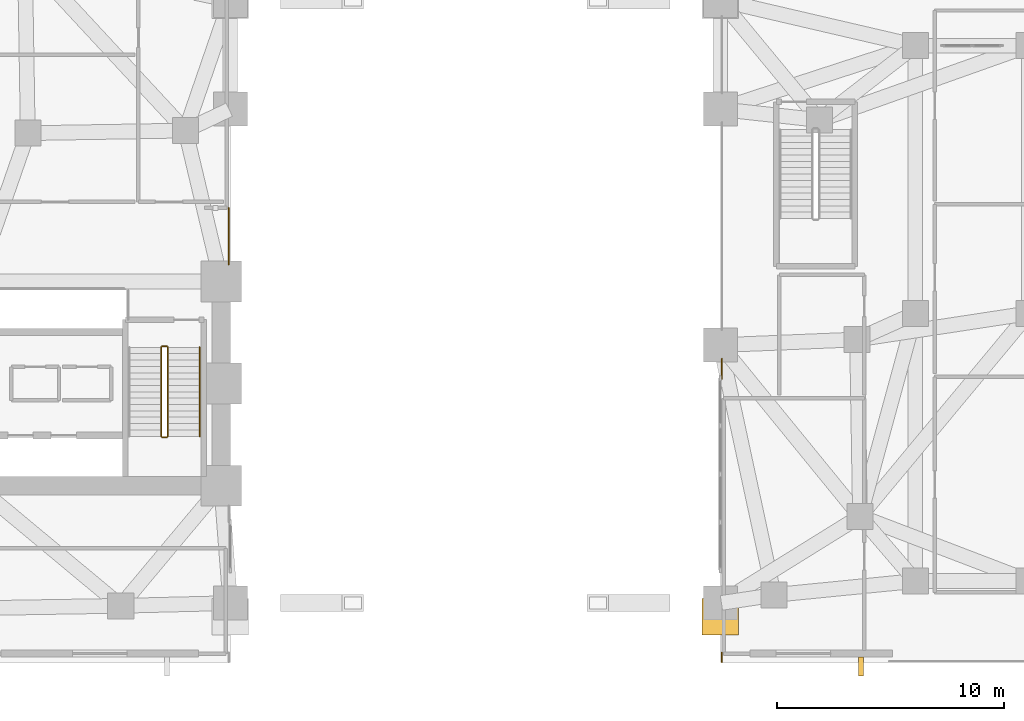
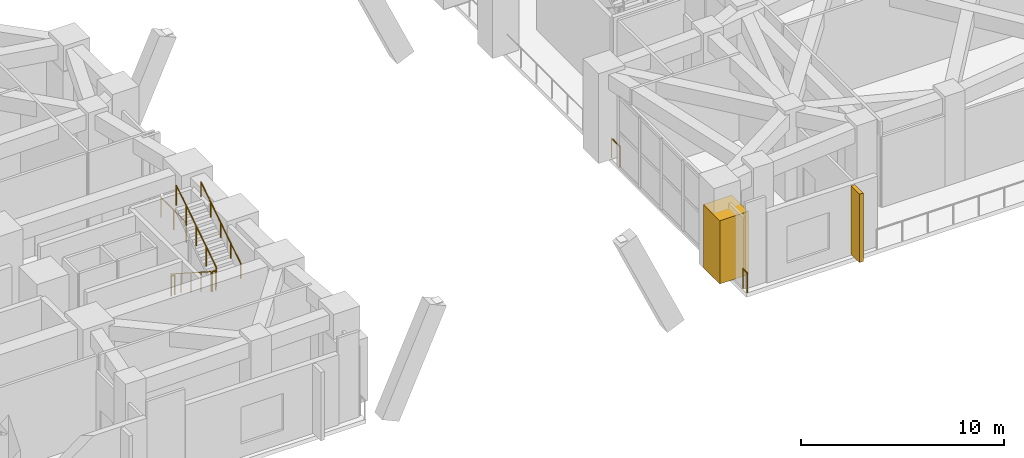
# One storey, part 15 of 18: 8 railings, 1 covering, 1 shading device.
"""IFC4 building model written with IfcOpenShell, lengths in metres."""

from ifc_helpers import new_model, si_unit, direction, frame, origin, origin_2d, place, context, subcontext, project, spatial, rectangle, circle, extrude, material, layer, layer_set, type_object, element, save


model = new_model("IFC4")

# Units and contexts
model_context = context("Model", 3, precision=1e-05, world=origin(), true_north=direction((0.0, 1.0)))
body_context = subcontext(model_context, "Body", "Model", "MODEL_VIEW")
ifc_project = project(units=[si_unit("LENGTHUNIT", "METRE"), si_unit("AREAUNIT", "SQUARE_METRE"), si_unit("VOLUMEUNIT", "CUBIC_METRE"), si_unit("PLANEANGLEUNIT", "RADIAN"), si_unit("MASSUNIT", "GRAM", prefix="KILO")], contexts=[model_context])

# Site, building, storey
site_placement = place(None, origin())
site = spatial("IfcSite", under=ifc_project, at=site_placement, CompositionType="ELEMENT")
building_placement = place(site_placement, origin())
building = spatial("IfcBuilding", under=site, at=building_placement, Name="Gaonmaruhae Medical Tower", CompositionType="ELEMENT")
storey_placement = place(building_placement, frame((0.0, 0.0, 16.199951171875)))
storey = spatial("IfcBuildingStorey", under=building, at=storey_placement, Name="L03", CompositionType="ELEMENT", Elevation=16.199951171875)

# Covering
ifc_material_1 = material(Name="Architectural precast column cladding", Category="concrete")
ifc_layer_1 = layer(ifc_material_1, 0.06005859375)
ifc_layer_set_1 = layer_set([ifc_layer_1], Name="Architectural precast column cladding")
covering_type = type_object("IfcCoveringType", Name="CLD-01 Architectural Precast Pier Cladding", PredefinedType="CLADDING", material=ifc_layer_set_1)
covering_placement = place(storey_placement, frame((57.60009765625, 2.02001953125, 0.10009765625), z_axis=(0.0, 0.0, 1.0), x_axis=(1.0, 0.0, 0.0)))
element("IfcCovering", 1, at=covering_placement, inside=storey, type_object=covering_type, Name="L03 Architectural Precast Column Cladding 2", PredefinedType="CLADDING", context=body_context, shape_type="SweptSolid", body=[
    extrude(rectangle(XDim=1.6201171875, YDim=1.6201171875, at=origin_2d()), origin(), (0.0, 0.0, 1.0), 3.800048828125),
])

# Railings
ifc_material_2 = material(Name="Stainless steel 316L and laminated safety glass", Category="steel")
ifc_layer_2 = layer(ifc_material_2, 0.080078125)
ifc_layer_set_2 = layer_set([ifc_layer_2], Name="Stainless steel 316L and laminated safety glass")
railing_type_1 = type_object("IfcRailingType", Name="GD-120 Outdoor Terrace Safety Glass & Steel Balustrade", PredefinedType="BALUSTRADE", material=ifc_layer_set_2)
railing_1_placement = place(storey_placement, frame((35.929931640625, 20.046875, 0.0)))
element("IfcRailing", 2, at=railing_1_placement, inside=storey, type_object=railing_type_1, Name="L03 Perimeter Slab Edge Safety Balustrade 13", PredefinedType="BALUSTRADE", context=body_context, shape_type="SweptSolid", body=[
    extrude(circle(Radius=0.02392578125, at=origin_2d()), frame((0.0, 0.0, 1.17578125), z_axis=(0.0, -1.0, 0.0), x_axis=(1.0, 0.0, 0.0)), (0.0, 0.0, 1.0), 2.49853515625),
    extrude(circle(Radius=0.02099609375, at=origin_2d()), origin(), (0.0, 0.0, 1.0), 1.15185546875),
    extrude(circle(Radius=0.02099609375, at=origin_2d()), frame((0.0, -1.249267578125, 0.0)), (0.0, 0.0, 1.0), 1.15185546875),
    extrude(circle(Radius=0.02099609375, at=origin_2d()), frame((0.0, -2.49853515625, 0.0)), (0.0, 0.0, 1.0), 1.15185546875),
])
railing_2_placement = place(storey_placement, frame((57.669921875, 0.02001953125, 0.0)))
element("IfcRailing", 3, at=railing_2_placement, inside=storey, type_object=railing_type_1, Name="L03 Perimeter Slab Edge Safety Balustrade 33", PredefinedType="BALUSTRADE", context=body_context, shape_type="SweptSolid", body=[
    extrude(circle(Radius=0.02392578125, at=origin_2d()), frame((0.0, 0.0, 1.17578125), z_axis=(0.0, 1.0, 0.0), x_axis=(-1.0, 0.0, 0.0)), (0.0, 0.0, 1.0), 0.419677734375),
    extrude(circle(Radius=0.02099609375, at=origin_2d()), origin(), (0.0, 0.0, 1.0), 1.15185546875),
    extrude(circle(Radius=0.02099609375, at=origin_2d()), frame((0.0, 0.419677734375, 0.0)), (0.0, 0.0, 1.0), 1.15185546875),
])
railing_3_placement = place(storey_placement, frame((57.669921875, 12.51171875, 0.0)))
element("IfcRailing", 4, at=railing_3_placement, inside=storey, type_object=railing_type_1, Name="L03 Perimeter Slab Edge Safety Balustrade 34", PredefinedType="BALUSTRADE", context=body_context, shape_type="SweptSolid", body=[
    extrude(circle(Radius=0.02392578125, at=origin_2d()), frame((0.0, 0.0, 1.17578125), z_axis=(0.0, 1.0, 0.0), x_axis=(-1.0, 0.0, 0.0)), (0.0, 0.0, 1.0), 0.87939453125),
    extrude(circle(Radius=0.02099609375, at=origin_2d()), origin(), (0.0, 0.0, 1.0), 1.15185546875),
    extrude(circle(Radius=0.02099609375, at=origin_2d()), frame((0.0, 0.87939453125, 0.0)), (0.0, 0.0, 1.0), 1.15185546875),
])
ifc_material_3 = material(Name="Stainless steel 304 handrail", Category="steel")
railing_type_2 = type_object("IfcRailingType", Name="HR-092 Continuous Stainless Steel Stair Handrail", PredefinedType="HANDRAIL", material=ifc_material_3)
railing_4_placement = place(storey_placement, frame((34.64990234375, 9.97998046875, 2.880126953125)))
element("IfcRailing", 5, at=railing_4_placement, inside=storey, type_object=railing_type_2, Name="L03 ST-02 stair handrail 2", PredefinedType="HANDRAIL", context=body_context, shape_type="SweptSolid", body=[
    extrude(circle(Radius=0.02392578125, at=origin_2d()), frame((0.0, 0.0, 0.8759765625), z_axis=(0.0, 0.841171666519, 0.540768182723), x_axis=(-1.0, 0.0, 0.0)), (0.0, 0.0, 1.0), 4.66015625),
    extrude(circle(Radius=0.02099609375, at=origin_2d()), origin(), (0.0, 0.0, 1.0), 0.851806640625),
    extrude(circle(Radius=0.02099609375, at=origin_2d()), frame((0.0, 0.97998046875, 0.6298828125)), (0.0, 0.0, 1.0), 0.851806640625),
    extrude(circle(Radius=0.02099609375, at=origin_2d()), frame((0.0, 1.9599609375, 1.260009765625)), (0.0, 0.0, 1.0), 0.851806640625),
    extrude(circle(Radius=0.02099609375, at=origin_2d()), frame((0.0, 2.93994140625, 1.89013671875)), (0.0, 0.0, 1.0), 0.851806640625),
    extrude(circle(Radius=0.02099609375, at=origin_2d()), frame((0.0, 3.919921875, 2.52001953125)), (0.0, 0.0, 1.0), 0.851806640625),
])

# Shading device
ifc_material_4 = material(Name="Pigmented coral precast concrete C45/55", Category="concrete")
shading_device_type = type_object("IfcShadingDeviceType", Name="SD-FIN2 Podium Vertical Coral Precast Shading Fin", PredefinedType="USERDEFINED", material=ifc_material_4)
shading_device_placement = place(storey_placement, frame((63.800048828125, -0.1650390625, 0.06494140625), z_axis=(0.0, 0.0, 1.0), x_axis=(-1.0, 0.0, 0.0)))
element("IfcShadingDevice", 6, at=shading_device_placement, inside=storey, type_object=shading_device_type, Name="L03 Podium Coral Precast Shading Fin PB-S4", ObjectType="FIN", PredefinedType="USERDEFINED", context=body_context, shape_type="SweptSolid", body=[
    extrude(rectangle(XDim=0.219970703125, YDim=0.85009765625, at=origin_2d()), origin(), (0.0, 0.0, 1.0), 4.10009765625),
])

# Railings
ifc_material_5 = material(Name="Stainless steel 304 balustrade", Category="steel")
railing_type_3 = type_object("IfcRailingType", Name="SG-112 Stair Well & Ramp Void Safety Balustrade", PredefinedType="BALUSTRADE", material=ifc_material_5)
railing_5_placement = place(storey_placement, frame((32.949951171875, 13.89990234375, 0.179931640625)))
element("IfcRailing", 7, at=railing_5_placement, inside=storey, type_object=railing_type_3, Name="L03 ST-02 stair guard 1", PredefinedType="BALUSTRADE", context=body_context, shape_type="SweptSolid", body=[
    extrude(circle(Radius=0.02392578125, at=origin_2d()), frame((0.0, 0.0, 1.17578125), z_axis=(0.0, -0.841171666519, 0.540768182723), x_axis=(1.0, 0.0, 0.0)), (0.0, 0.0, 1.0), 4.66015625),
    extrude(circle(Radius=0.02099609375, at=origin_2d()), origin(), (0.0, 0.0, 1.0), 1.15185546875),
    extrude(circle(Radius=0.02099609375, at=origin_2d()), frame((0.0, -0.97998046875, 0.6298828125)), (0.0, 0.0, 1.0), 1.15185546875),
    extrude(circle(Radius=0.02099609375, at=origin_2d()), frame((0.0, -1.9599609375, 1.260009765625)), (0.0, 0.0, 1.0), 1.15185546875),
    extrude(circle(Radius=0.02099609375, at=origin_2d()), frame((0.0, -2.93994140625, 1.89013671875)), (0.0, 0.0, 1.0), 1.15185546875),
    extrude(circle(Radius=0.02099609375, at=origin_2d()), frame((0.0, -3.919921875, 2.52001953125)), (0.0, 0.0, 1.0), 1.15185546875),
])
railing_6_placement = place(storey_placement, frame((33.0, 9.929931640625, 2.699951171875)))
element("IfcRailing", 8, at=railing_6_placement, inside=storey, type_object=railing_type_3, Name="L03 ST-02 stair guard 2", PredefinedType="BALUSTRADE", context=body_context, shape_type="SweptSolid", body=[
    extrude(circle(Radius=0.02392578125, at=origin_2d()), frame((0.0, 0.0, 1.17578125), z_axis=(1.0, 0.0, 0.0), x_axis=(0.0, 1.0, 0.0)), (0.0, 0.0, 1.0), 0.199951171875),
    extrude(circle(Radius=0.02099609375, at=origin_2d()), origin(), (0.0, 0.0, 1.0), 1.15185546875),
    extrude(circle(Radius=0.02099609375, at=origin_2d()), frame((0.199951171875, 0.0, 0.0)), (0.0, 0.0, 1.0), 1.15185546875),
])
railing_7_placement = place(storey_placement, frame((33.25, 9.97998046875, 2.880126953125)))
element("IfcRailing", 9, at=railing_7_placement, inside=storey, type_object=railing_type_3, Name="L03 ST-02 stair guard 3", PredefinedType="BALUSTRADE", context=body_context, shape_type="SweptSolid", body=[
    extrude(circle(Radius=0.02392578125, at=origin_2d()), frame((0.0, 0.0, 1.17578125), z_axis=(0.0, 0.841171666519, 0.540768182723), x_axis=(-1.0, 0.0, 0.0)), (0.0, 0.0, 1.0), 4.66015625),
    extrude(circle(Radius=0.02099609375, at=origin_2d()), origin(), (0.0, 0.0, 1.0), 1.15185546875),
    extrude(circle(Radius=0.02099609375, at=origin_2d()), frame((0.0, 0.97998046875, 0.6298828125)), (0.0, 0.0, 1.0), 1.15185546875),
    extrude(circle(Radius=0.02099609375, at=origin_2d()), frame((0.0, 1.9599609375, 1.260009765625)), (0.0, 0.0, 1.0), 1.15185546875),
    extrude(circle(Radius=0.02099609375, at=origin_2d()), frame((0.0, 2.93994140625, 1.89013671875)), (0.0, 0.0, 1.0), 1.15185546875),
    extrude(circle(Radius=0.02099609375, at=origin_2d()), frame((0.0, 3.919921875, 2.52001953125)), (0.0, 0.0, 1.0), 1.15185546875),
])
railing_8_placement = place(storey_placement, frame((33.0, 13.949951171875, 0.0)))
element("IfcRailing", 10, at=railing_8_placement, inside=storey, type_object=railing_type_3, Name="L03 ST-02 stair guard 4", PredefinedType="BALUSTRADE", context=body_context, shape_type="SweptSolid", body=[
    extrude(circle(Radius=0.02392578125, at=origin_2d()), frame((0.0, 0.0, 1.17578125), z_axis=(1.0, 0.0, 0.0), x_axis=(0.0, 1.0, 0.0)), (0.0, 0.0, 1.0), 0.199951171875),
    extrude(circle(Radius=0.02099609375, at=origin_2d()), origin(), (0.0, 0.0, 1.0), 1.15185546875),
    extrude(circle(Radius=0.02099609375, at=origin_2d()), frame((0.199951171875, 0.0, 0.0)), (0.0, 0.0, 1.0), 1.15185546875),
])

save(model, "model.ifc")
